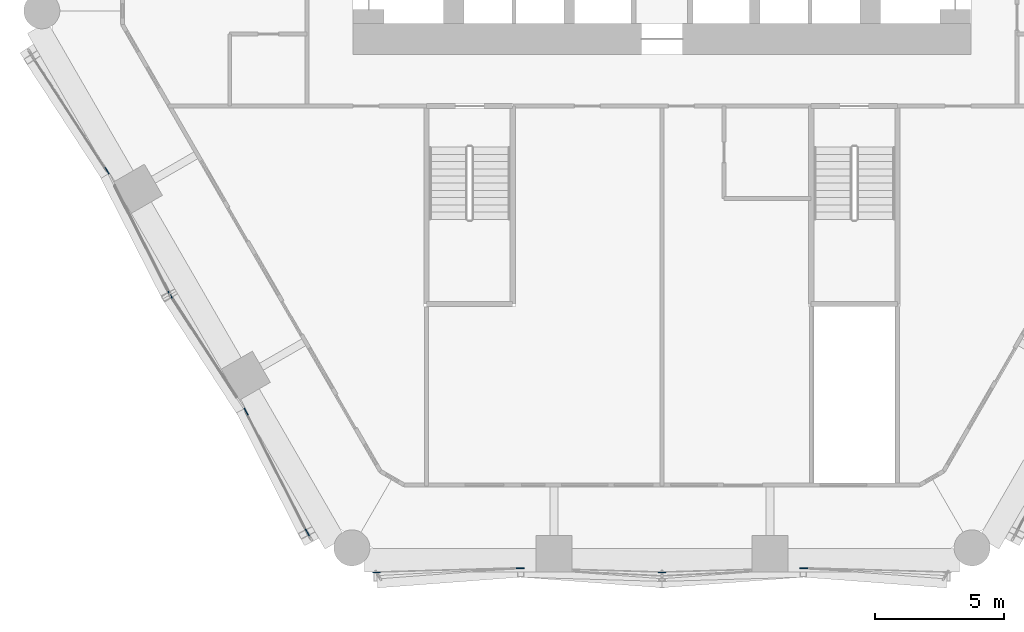
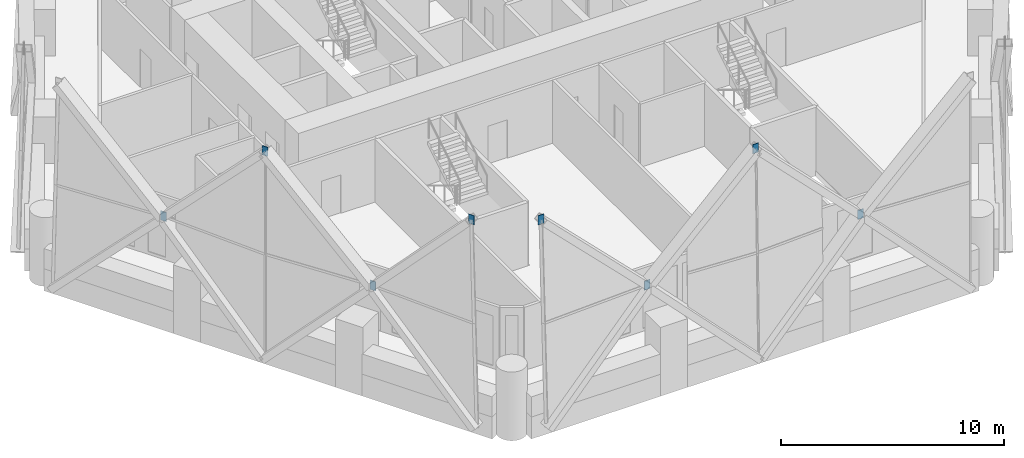
# One storey, part 17 of 22: 8 discrete accessories.
"""IFC4 building model written with IfcOpenShell, lengths in metres."""

from ifc_helpers import new_model, si_unit, direction, frame, origin, origin_2d, place, context, subcontext, project, spatial, rectangle, extrude, material, layer, layer_set, type_object, element, save


model = new_model("IFC4")

# Units and contexts
model_context = context("Model", 3, precision=1e-05, world=origin(), true_north=direction((0.0, 1.0)))
body_context = subcontext(model_context, "Body", "Model", "MODEL_VIEW")
ifc_project = project(units=[si_unit("LENGTHUNIT", "METRE"), si_unit("AREAUNIT", "SQUARE_METRE"), si_unit("VOLUMEUNIT", "CUBIC_METRE"), si_unit("PLANEANGLEUNIT", "RADIAN"), si_unit("MASSUNIT", "GRAM", prefix="KILO")], contexts=[model_context])

# Site, building, storey
site_placement = place(None, origin())
site = spatial("IfcSite", under=ifc_project, at=site_placement, CompositionType="ELEMENT")
building_placement = place(site_placement, origin())
building = spatial("IfcBuilding", under=site, at=building_placement, Name="Ostrander Bayou Hotel Tower", CompositionType="ELEMENT")
storey_placement = place(building_placement, frame((0.0, 0.0, 35.5)))
storey = spatial("IfcBuildingStorey", under=building, at=storey_placement, Name="L08", CompositionType="ELEMENT", Elevation=35.5)

# Discrete accessories
ifc_material = material(Name="Steel ASTM A572 Gr 50", Category="steel")
ifc_layer = layer(ifc_material, 0.030029296875)
ifc_layer_set = layer_set([ifc_layer], Name="GP1 gusset plate 30 mm")
discrete_accessory_type = type_object("IfcDiscreteAccessoryType", Name="GP1 gusset plate 30 mm", PredefinedType="BRACKET", material=ifc_layer_set)
for number, where, z_axis, x_axis, name in (
    (1, (-21.56689453125, -6.211181640625, 4.77490234375), (0.0, 0.0, 1.0), (0.5, -0.866025403784, 0.0), "GP1 gusset plate lat 71"),
    (2, (-19.11328125, -11.034912109375, 10.39990234375), (0.0, 0.0, 1.0), (0.5, -0.866025403784, 0.0), "GP1 gusset plate lat 73"),
    (3, (-16.16259765625, -15.572021484375, 4.77490234375), (0.0, 0.0, 1.0), (0.5, -0.866025403784, 0.0), "GP1 gusset plate lat 74"),
    (4, (-13.779541015625, -20.27294921875, 10.39990234375), (0.0, 0.0, 1.0), (0.5, -0.866025403784, 0.0), "GP1 gusset plate lat 75"),
    (5, (-5.5107421875, -21.660400390625, 4.77490234375), (0.0, 0.0, 1.0), (1.0, 0.0, 0.0), "GP1 gusset plate lat 76"),
    (6, (-11.09228515625, -21.824462890625, 10.39990234375), (0.0, 0.0, 1.0), (1.0, 0.0, 0.0), "GP1 gusset plate lat 77"),
    (7, (0.0, -21.824462890625, 10.39990234375), (0.0, 0.0, 1.0), (1.0, 0.0, 0.0), "GP1 gusset plate lat 78"),
    (8, (5.5107421875, -21.660400390625, 4.77490234375), (0.0, 0.0, 1.0), (1.0, 0.0, 0.0), "GP1 gusset plate lat 79"),
):
    element("IfcDiscreteAccessory", number, at=place(storey_placement, frame(where, z_axis=z_axis, x_axis=x_axis)), inside=storey, type_object=discrete_accessory_type, Name=name, PredefinedType="BRACKET", context=body_context, shape_type="SweptSolid", body=[
        extrude(rectangle(XDim=0.300048828125, YDim=0.030029296875, at=origin_2d()), origin(), (0.0, 0.0, 1.0), 0.5),
    ])

save(model, "model.ifc")
